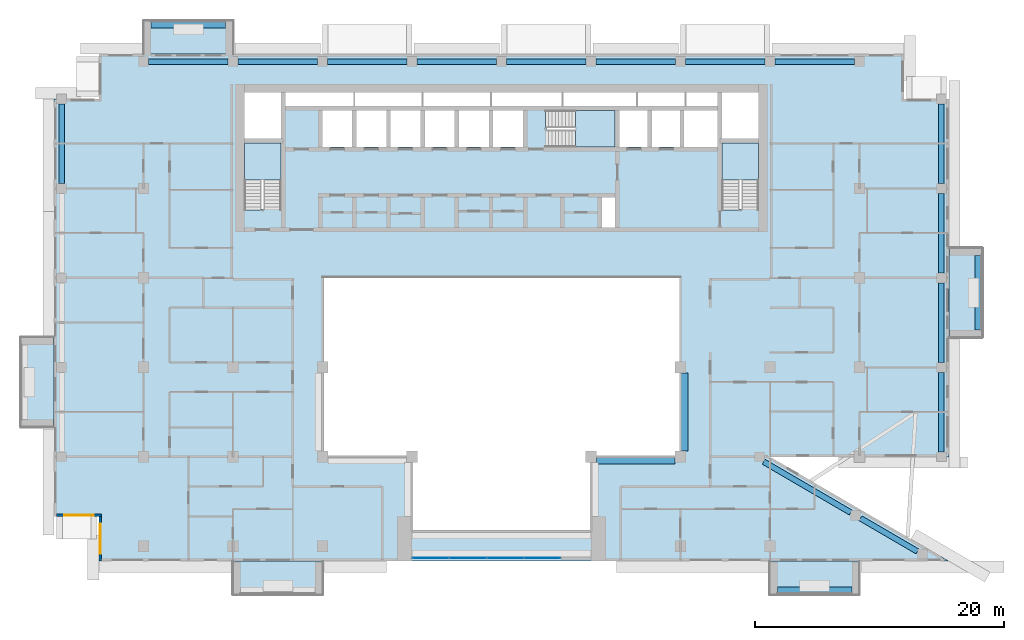
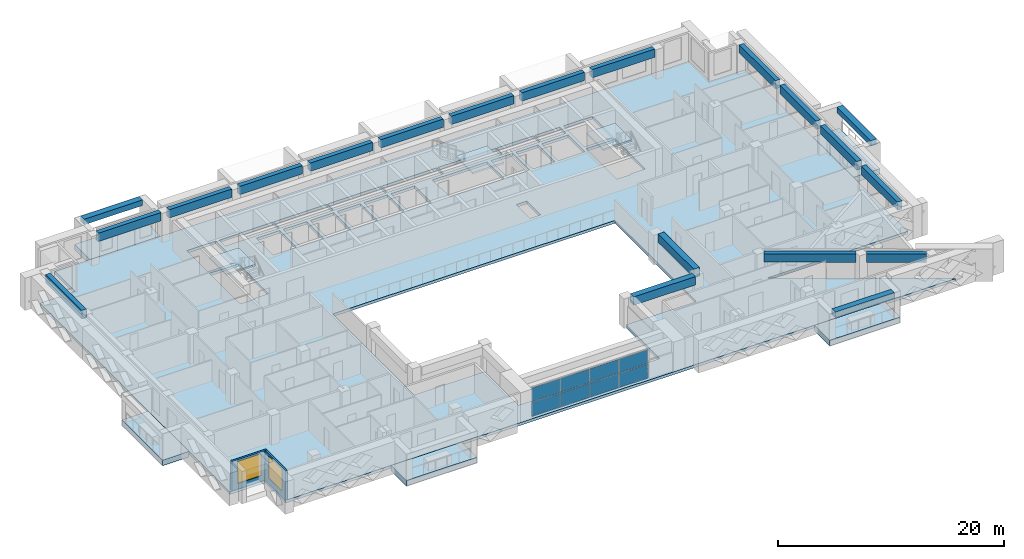
# One storey, part 5 of 20: 20 beams, 9 slabs, 8 plates, 2 walls, 2 windows, 2 openings, 4 elements without a shape of their own.
"""IFC4 building model written with IfcOpenShell, lengths in metres."""

from ifc_helpers import new_model, si_unit, direction, frame, frame_2d, origin, origin_2d, place, context, subcontext, project, spatial, polyline, rectangle, outline, extrude, source, transform, mapped, material, layer, layer_set, material_profile, profile_set, type_object, element, fill, aggregate, save


model = new_model("IFC4")

# Units and contexts
model_context = context("Model", 3, precision=1e-05, world=origin(), true_north=direction((0.0, 1.0)))
body_context = subcontext(model_context, "Body", "Model", "MODEL_VIEW")
ifc_project = project(units=[si_unit("LENGTHUNIT", "METRE"), si_unit("AREAUNIT", "SQUARE_METRE"), si_unit("VOLUMEUNIT", "CUBIC_METRE"), si_unit("PLANEANGLEUNIT", "RADIAN"), si_unit("MASSUNIT", "GRAM", prefix="KILO")], contexts=[model_context])

# Site, building, storey
site_placement = place(None, origin())
site = spatial("IfcSite", under=ifc_project, at=site_placement, CompositionType="ELEMENT")
building_placement = place(site_placement, origin())
building = spatial("IfcBuilding", under=site, at=building_placement, Name="Saffron Iwan Residences", CompositionType="ELEMENT")
storey_placement = place(building_placement, frame((0.0, 0.0, 199.0)))
storey = spatial("IfcBuildingStorey", under=building, at=storey_placement, Name="L53", CompositionType="ELEMENT", Elevation=199.0)

# Beams
ifc_material_1 = material(Name="Concrete C50/60", Category="concrete")
ifc_material_profile_1 = material_profile(ifc_material_1, rectangle(XDim=0.449951171875, YDim=0.89990234375, at=origin_2d()), Name="RC 450x900")
ifc_profile_set_1 = profile_set([ifc_material_profile_1], Name="Concrete C50/60")
beam_type_1 = type_object("IfcBeamType", Name="SPANDREL BEAM RC 450x900 C50/60 TOP 3200", PredefinedType="SPANDREL", material=ifc_profile_set_1)
shared_shape_1 = source(origin(), body_context, "Body", "SweptSolid", [
    extrude(rectangle(XDim=0.449951171875, YDim=0.89990234375, at=origin_2d()), origin(), (0.0, 0.0, 1.0), 5.300537109375),
])
beam_1_placement = place(storey_placement, frame((79.297607421875, 43.04833984375, 2.75), z_axis=(0.86379560586, -0.503842387357, 0.0), x_axis=(0.503842387357, 0.86379560586, 0.0)))
element("IfcBeam", 1, at=beam_1_placement, inside=storey, type_object=beam_type_1, Name="Spandrel beam", PredefinedType="SPANDREL", context=body_context, shape_type="MappedRepresentation", body=[
    mapped(shared_shape_1, transform((0.0, 0.0, 0.0))),
])
shared_shape_2 = source(origin(), body_context, "Body", "SweptSolid", [
    extrude(rectangle(XDim=0.449951171875, YDim=0.89990234375, at=origin_2d()), origin(), (0.0, 0.0, 1.0), 8.107177734375),
])
beam_2_placement = place(storey_placement, frame((71.494873046875, 47.60009765625, 2.75), z_axis=(0.863783269703, -0.503863536071, 0.0), x_axis=(0.503863536071, 0.863783269703, 0.0)))
element("IfcBeam", 2, at=beam_2_placement, inside=storey, type_object=beam_type_1, Name="Spandrel beam", PredefinedType="SPANDREL", context=body_context, shape_type="MappedRepresentation", body=[
    mapped(shared_shape_2, transform((0.0, 0.0, 0.0))),
])
shared_shape_3 = source(origin(), body_context, "Body", "SweptSolid", [
    extrude(rectangle(XDim=0.449951171875, YDim=0.89990234375, at=origin_2d()), origin(), (0.0, 0.0, 1.0), 6.400146484375),
])
for number, where, z_axis, x_axis, name in (
    (3, (85.800048828125, 54.800048828125, 2.75), (0.0, -1.0, 0.0), (1.0, 0.0, 0.0), "Spandrel beam"),
    (4, (29.199951171875, 79.800048828125, 2.75), (1.0, 0.0, 0.0), (0.0, 1.0, 0.0), "Spandrel beam"),
    (5, (36.39990234375, 79.800048828125, 2.75), (1.0, 0.0, 0.0), (0.0, 1.0, 0.0), "Spandrel beam"),
    (6, (65.199951171875, 79.800048828125, 2.75), (1.0, 0.0, 0.0), (0.0, 1.0, 0.0), "Spandrel beam"),
    (7, (72.39990234375, 79.800048828125, 2.75), (1.0, 0.0, 0.0), (0.0, 1.0, 0.0), "Spandrel beam"),
):
    element("IfcBeam", number, at=place(storey_placement, frame(where, z_axis=z_axis, x_axis=x_axis)), inside=storey, type_object=beam_type_1, Name=name, PredefinedType="SPANDREL", context=body_context, shape_type="MappedRepresentation", body=[
        mapped(shared_shape_3, transform((0.0, 0.0, 0.0))),
    ])
shared_shape_4 = source(origin(), body_context, "Body", "SweptSolid", [
    extrude(rectangle(XDim=0.449951171875, YDim=0.89990234375, at=origin_2d()), origin(), (0.0, 0.0, 1.0), 6.39990234375),
])
for number, where, z_axis, x_axis, name in (
    (8, (85.800048828125, 62.0, 2.75), (0.0, -1.0, 0.0), (1.0, 0.0, 0.0), "Spandrel beam"),
    (9, (85.800048828125, 69.199951171875, 2.75), (0.0, -1.0, 0.0), (1.0, 0.0, 0.0), "Spandrel beam"),
    (10, (15.0, 70.0, 2.75), (0.0, 1.0, 0.0), (-1.0, 0.0, 0.0), "Spandrel beam"),
    (11, (85.800048828125, 76.39990234375, 2.75), (0.0, -1.0, 0.0), (1.0, 0.0, 0.0), "Spandrel beam"),
    (12, (22.0, 79.800048828125, 2.75), (1.0, 0.0, 0.0), (0.0, 1.0, 0.0), "Spandrel beam"),
    (13, (43.60009765625, 79.800048828125, 2.75), (1.0, 0.0, 0.0), (0.0, 1.0, 0.0), "Spandrel beam"),
    (14, (50.800048828125, 79.800048828125, 2.75), (1.0, 0.0, 0.0), (0.0, 1.0, 0.0), "Spandrel beam"),
    (15, (58.0, 79.800048828125, 2.75), (1.0, 0.0, 0.0), (0.0, 1.0, 0.0), "Spandrel beam"),
):
    element("IfcBeam", number, at=place(storey_placement, frame(where, z_axis=z_axis, x_axis=x_axis)), inside=storey, type_object=beam_type_1, Name=name, PredefinedType="SPANDREL", context=body_context, shape_type="MappedRepresentation", body=[
        mapped(shared_shape_4, transform((0.0, 0.0, 0.0))),
    ])
ifc_material_profile_2 = material_profile(ifc_material_1, rectangle(XDim=0.60009765625, YDim=0.89990234375, at=origin_2d()), Name="RC 600x900")
ifc_profile_set_2 = profile_set([ifc_material_profile_2], Name="Concrete C50/60")
beam_type_2 = type_object("IfcBeamType", Name="BEAM RC 600x900 C50/60 TOP 3200", PredefinedType="BEAM", material=ifc_profile_set_2)
shared_shape_5 = source(origin(), body_context, "Body", "SweptSolid", [
    extrude(rectangle(XDim=0.60009765625, YDim=0.89990234375, at=origin_2d()), origin(), (0.0, 0.0, 1.0), 6.300048828125),
])
for number, where, z_axis, x_axis, name in (
    (16, (64.35009765625, 47.699951171875, 2.75), (-1.0, 0.0, 0.0), (0.0, -1.0, 0.0), "Atrium edge beam"),
    (17, (65.10009765625, 54.75, 2.75), (0.0, -1.0, 0.0), (1.0, 0.0, 0.0), "Atrium edge beam"),
):
    element("IfcBeam", number, at=place(storey_placement, frame(where, z_axis=z_axis, x_axis=x_axis)), inside=storey, type_object=beam_type_2, Name=name, PredefinedType="BEAM", context=body_context, shape_type="MappedRepresentation", body=[
        mapped(shared_shape_5, transform((0.0, 0.0, 0.0))),
    ])
ifc_material_2 = material(Name="Concrete C50/60 white painted", Category="concrete")
ifc_material_profile_3 = material_profile(ifc_material_2, rectangle(XDim=0.60009765625, YDim=0.60009765625, at=origin_2d()), Name="BALCONY FASCIA BEAM 600 x 600")
ifc_profile_set_3 = profile_set([ifc_material_profile_3], Name="Concrete C50/60 white painted")
beam_type_3 = type_object("IfcBeamType", Name="BALCONY FASCIA BEAM 600 x 600", PredefinedType="BEAM", material=ifc_profile_set_3)
shared_shape_6 = source(origin(), body_context, "Body", "SweptSolid", [
    extrude(rectangle(XDim=0.60009765625, YDim=0.60009765625, at=origin_2d()), origin(), (0.0, 0.0, 1.0), 6.0),
])
for number, where, z_axis, x_axis, name in (
    (18, (88.800048828125, 58.199951171875, 2.550048828125), (0.0, 1.0, 0.0), (-1.0, 0.0, 0.0), "Balcony fascia beam L53 F2-0"),
    (19, (28.199951171875, 82.800048828125, 2.550048828125), (-1.0, 0.0, 0.0), (0.0, -1.0, 0.0), "Balcony fascia beam L53 F5-3"),
    (20, (72.60009765625, 37.199951171875, 2.550048828125), (1.0, 0.0, 0.0), (0.0, 1.0, 0.0), "Balcony fascia beam L53 11-1"),
):
    element("IfcBeam", number, at=place(storey_placement, frame(where, z_axis=z_axis, x_axis=x_axis)), inside=storey, type_object=beam_type_3, Name=name, PredefinedType="BEAM", context=body_context, shape_type="MappedRepresentation", body=[
        mapped(shared_shape_6, transform((0.0, 0.0, 0.0))),
    ])

# Slabs
ifc_layer_1 = layer(ifc_material_2, 0.60009765625)
ifc_layer_set_1 = layer_set([ifc_layer_1], Name="Concrete C50/60 white painted")
slab_type_1 = type_object("IfcSlabType", Name="BALCONY FRAME SLAB 600", PredefinedType="FLOOR", material=ifc_layer_set_1)
slab_1_placement = place(storey_placement, frame((0.0, 0.0, -0.60009765625)))
element("IfcSlab", 21, at=slab_1_placement, inside=storey, type_object=slab_type_1, Name="Balcony frame slab L53 F2-0", PredefinedType="FLOOR", context=body_context, shape_type="SweptSolid", body=[
    extrude(outline(polyline([(89.10009765625, 57.60009765625), (89.10009765625, 64.800048828125), (86.39990234375, 64.800048828125), (86.39990234375, 57.60009765625), (89.10009765625, 57.60009765625)])), origin(), (0.0, 0.0, 1.0), 0.60009765625),
])
slab_2_placement = place(storey_placement, frame((0.0, 0.0, -0.60009765625)))
element("IfcSlab", 22, at=slab_2_placement, inside=storey, type_object=slab_type_1, Name="Balcony frame slab L53 F5-3", PredefinedType="FLOOR", context=body_context, shape_type="SweptSolid", body=[
    extrude(outline(polyline([(28.800048828125, 83.10009765625), (21.60009765625, 83.10009765625), (21.60009765625, 80.39990234375), (28.800048828125, 80.39990234375), (28.800048828125, 83.10009765625)])), origin(), (0.0, 0.0, 1.0), 0.60009765625),
])
slab_3_placement = place(storey_placement, frame((0.0, 0.0, -0.60009765625)))
element("IfcSlab", 23, at=slab_3_placement, inside=storey, type_object=slab_type_1, Name="Balcony frame slab L53 F8-1", PredefinedType="FLOOR", context=body_context, shape_type="SweptSolid", body=[
    extrude(outline(polyline([(11.699951171875, 57.60009765625), (11.699951171875, 50.39990234375), (14.39990234375, 50.39990234375), (14.39990234375, 57.60009765625), (11.699951171875, 57.60009765625)])), origin(), (0.0, 0.0, 1.0), 0.60009765625),
])
slab_4_placement = place(storey_placement, frame((0.0, 0.0, -0.60009765625)))
element("IfcSlab", 24, at=slab_4_placement, inside=storey, type_object=slab_type_1, Name="Balcony frame slab L53 11-0", PredefinedType="FLOOR", context=body_context, shape_type="SweptSolid", body=[
    extrude(outline(polyline([(28.800048828125, 36.89990234375), (36.0, 36.89990234375), (36.0, 39.60009765625), (28.800048828125, 39.60009765625), (28.800048828125, 36.89990234375)])), origin(), (0.0, 0.0, 1.0), 0.60009765625),
])
slab_5_placement = place(storey_placement, frame((0.0, 0.0, -0.60009765625)))
element("IfcSlab", 25, at=slab_5_placement, inside=storey, type_object=slab_type_1, Name="Balcony frame slab L53 11-1", PredefinedType="FLOOR", context=body_context, shape_type="SweptSolid", body=[
    extrude(outline(polyline([(72.0, 36.89990234375), (79.199951171875, 36.89990234375), (79.199951171875, 39.60009765625), (72.0, 39.60009765625), (72.0, 36.89990234375)])), origin(), (0.0, 0.0, 1.0), 0.60009765625),
])
ifc_material_3 = material(Name="Concrete C40/50", Category="concrete")
ifc_layer_2 = layer(ifc_material_3, 0.300048828125)
ifc_layer_set_2 = layer_set([ifc_layer_2], Name="Concrete C40/50")
slab_type_2 = type_object("IfcSlabType", Name="PT PLATE 300 C40/50", PredefinedType="FLOOR", material=ifc_layer_set_2)
slab_6_placement = place(storey_placement, frame((0.0, 0.0, -0.300048828125)))
element("IfcSlab", 26, at=slab_6_placement, inside=storey, type_object=slab_type_2, Name="Floor slab L53", PredefinedType="FLOOR", context=body_context, shape_type="SweptSolid", body=[
    extrude(outline(polyline([(14.39990234375, 43.199951171875), (14.39990234375, 76.800048828125), (18.0, 76.800048828125), (18.0, 80.39990234375), (82.800048828125, 80.39990234375), (82.800048828125, 76.800048828125), (86.39990234375, 76.800048828125), (86.39990234375, 48.0), (72.0, 48.0), (86.39990234375, 39.60009765625), (18.0, 39.60009765625), (18.0, 43.199951171875), (14.39990234375, 43.199951171875)]), holes=[polyline([(64.800048828125, 48.0), (64.800048828125, 62.39990234375), (36.0, 62.39990234375), (36.0, 48.0), (43.199951171875, 48.0), (43.199951171875, 42.0), (57.60009765625, 42.0), (57.60009765625, 48.0), (64.800048828125, 48.0)]), polyline([(29.699951171875, 73.25), (29.699951171875, 67.949951171875), (29.699951171875, 67.8505859375), (31.10009765625, 67.8505859375), (31.10009765625, 67.949951171875), (32.64990234375, 67.949951171875), (32.64990234375, 73.25), (29.699951171875, 73.25)]), polyline([(38.375, 75.875), (35.97509765625, 75.875), (35.97509765625, 72.925048828125), (38.375, 72.925048828125), (38.375, 75.875)]), polyline([(41.125, 75.875), (38.72509765625, 75.875), (38.72509765625, 72.925048828125), (41.125, 72.925048828125), (41.125, 75.875)]), polyline([(43.875, 72.925048828125), (43.875, 75.875), (41.47509765625, 75.875), (41.47509765625, 72.925048828125), (43.875, 72.925048828125)]), polyline([(46.625, 72.925048828125), (46.625, 75.875), (44.22509765625, 75.875), (44.22509765625, 72.925048828125), (46.625, 72.925048828125)]), polyline([(49.375, 75.875), (46.97509765625, 75.875), (46.97509765625, 72.925048828125), (49.375, 72.925048828125), (49.375, 75.875)]), polyline([(52.125, 72.925048828125), (52.125, 75.875), (49.72509765625, 75.875), (49.72509765625, 72.925048828125), (52.125, 72.925048828125)]), polyline([(32.64990234375, 73.60009765625), (32.64990234375, 77.300048828125), (29.699951171875, 77.300048828125), (29.699951171875, 73.60009765625), (32.64990234375, 73.60009765625)]), polyline([(38.5, 77.300048828125), (33.0, 77.300048828125), (33.0, 76.22509765625), (38.5, 76.22509765625), (38.5, 77.300048828125)]), polyline([(44.0, 76.22509765625), (44.0, 77.300048828125), (38.60009765625, 77.300048828125), (38.60009765625, 76.22509765625), (44.0, 76.22509765625)]), polyline([(49.5, 76.22509765625), (49.5, 77.300048828125), (44.10009765625, 77.300048828125), (44.10009765625, 76.22509765625), (49.5, 76.22509765625)]), polyline([(59.550048828125, 68.875), (58.47509765625, 68.875), (58.47509765625, 66.449951171875), (59.550048828125, 66.449951171875), (59.550048828125, 68.875)]), polyline([(68.14990234375, 73.25), (68.14990234375, 67.949951171875), (68.14990234375, 67.8505859375), (69.550048828125, 67.8505859375), (69.550048828125, 67.949951171875), (71.10009765625, 67.949951171875), (71.10009765625, 73.25), (68.14990234375, 73.25)]), polyline([(54.02490234375, 74.47509765625), (54.02490234375, 72.925048828125), (59.550048828125, 72.925048828125), (59.550048828125, 75.875), (54.02490234375, 75.875), (53.925537109375, 75.875), (53.925537109375, 74.47509765625), (54.02490234375, 74.47509765625)]), polyline([(62.14990234375, 72.925048828125), (62.14990234375, 75.875), (59.89990234375, 75.875), (59.89990234375, 72.925048828125), (62.14990234375, 72.925048828125)]), polyline([(64.75, 72.925048828125), (64.75, 75.875), (62.5, 75.875), (62.5, 72.925048828125), (64.75, 72.925048828125)]), polyline([(67.800048828125, 75.875), (65.10009765625, 75.875), (65.10009765625, 72.925048828125), (67.800048828125, 72.925048828125), (67.800048828125, 75.875)]), polyline([(71.10009765625, 73.60009765625), (71.10009765625, 77.300048828125), (68.14990234375, 77.300048828125), (68.14990234375, 73.60009765625), (71.10009765625, 73.60009765625)]), polyline([(55.25, 76.22509765625), (55.25, 77.300048828125), (49.60009765625, 77.300048828125), (49.60009765625, 76.22509765625), (55.25, 76.22509765625)]), polyline([(61.25, 77.300048828125), (55.35009765625, 77.300048828125), (55.35009765625, 76.22509765625), (61.25, 76.22509765625), (61.25, 77.300048828125)]), polyline([(65.14990234375, 76.22509765625), (65.14990234375, 77.300048828125), (61.35009765625, 77.300048828125), (61.35009765625, 76.22509765625), (65.14990234375, 76.22509765625)]), polyline([(67.800048828125, 76.22509765625), (67.800048828125, 77.300048828125), (65.25, 77.300048828125), (65.25, 76.22509765625), (67.800048828125, 76.22509765625)])]), origin(), (0.0, 0.0, 1.0), 0.300048828125),
])

# Stair, slab
stair_type = type_object("IfcStairType", Name="Stair ST-CORE", PredefinedType="HALF_TURN_STAIR", material=ifc_material_1)
stair_1_placement = place(storey_placement, origin())
stair_1 = element("IfcStair", 27, at=stair_1_placement, inside=storey, type_object=stair_type, Name="L53 Exit Stair ST-W", PredefinedType="HALF_TURN_STAIR")
ifc_layer_3 = layer(ifc_material_1, 0.199951171875)
ifc_layer_set_3 = layer_set([ifc_layer_3], Name="Concrete C50/60")
slab_type_3 = type_object("IfcSlabType", Name="Stair landing SL-RC", PredefinedType="LANDING", material=ifc_layer_set_3)
slab_7_placement = place(storey_placement, frame((0.0, 0.0, 1.5498046875)))
slab_7 = element("IfcSlab", 28, at=slab_7_placement, type_object=slab_type_3, Name="ST-W landing 1", PredefinedType="LANDING", context=body_context, shape_type="SweptSolid", body=[
    extrude(outline(polyline([(32.64990234375, 70.280029296875), (32.64990234375, 73.25), (29.699951171875, 73.25), (29.699951171875, 70.280029296875), (32.64990234375, 70.280029296875)])), origin(), (0.0, 0.0, 1.0), 0.2001953125),
])
aggregate(stair_1, [slab_7])

stair_2_placement = place(storey_placement, origin())
stair_2 = element("IfcStair", 29, at=stair_2_placement, inside=storey, type_object=stair_type, Name="L53 Exit Stair ST-C", PredefinedType="HALF_TURN_STAIR")
slab_8_placement = place(storey_placement, frame((0.0, 0.0, 1.5498046875)))
slab_8 = element("IfcSlab", 30, at=slab_8_placement, type_object=slab_type_3, Name="ST-C landing 1", PredefinedType="LANDING", context=body_context, shape_type="SweptSolid", body=[
    extrude(outline(polyline([(56.35498046875, 72.925048828125), (59.550048828125, 72.925048828125), (59.550048828125, 75.875), (56.35498046875, 75.875), (56.35498046875, 72.925048828125)])), origin(), (0.0, 0.0, 1.0), 0.2001953125),
])
aggregate(stair_2, [slab_8])

stair_3_placement = place(storey_placement, origin())
stair_3 = element("IfcStair", 31, at=stair_3_placement, inside=storey, type_object=stair_type, Name="L53 Exit Stair ST-E", PredefinedType="HALF_TURN_STAIR")
slab_9_placement = place(storey_placement, frame((0.0, 0.0, 1.5498046875)))
slab_9 = element("IfcSlab", 32, at=slab_9_placement, type_object=slab_type_3, Name="ST-E landing 1", PredefinedType="LANDING", context=body_context, shape_type="SweptSolid", body=[
    extrude(outline(polyline([(71.10009765625, 70.280029296875), (71.10009765625, 73.25), (68.14990234375, 73.25), (68.14990234375, 70.280029296875), (71.10009765625, 70.280029296875)])), origin(), (0.0, 0.0, 1.0), 0.2001953125),
])
aggregate(stair_3, [slab_9])

# Curtain wall, plates
ifc_material_4 = material(Name="Clear glass, laminated double glazed", Category="glass")
ifc_layer_4 = layer(ifc_material_4, 0.199951171875)
ifc_layer_set_4 = layer_set([ifc_layer_4], Name="Clear glass, laminated double glazed")
curtain_wall_type = type_object("IfcCurtainWallType", Name="CW-B IWAN PORTAL", PredefinedType="NOTDEFINED", material=ifc_layer_set_4)
curtain_wall_placement = place(storey_placement, origin())
curtain_wall = element("IfcCurtainWall", 33, at=curtain_wall_placement, inside=storey, type_object=curtain_wall_type, Name="Iwan portal glazing L53.1", PredefinedType="NOTDEFINED")
ifc_layer_5 = layer(ifc_material_4, 0.028076171875)
ifc_layer_set_5 = layer_set([ifc_layer_5], Name="Clear glass, laminated double glazed")
plate_type = type_object("IfcPlateType", Name="CW-B PANEL 28", PredefinedType="CURTAIN_PANEL", material=ifc_layer_set_5)
shared_shape_7 = source(origin(), body_context, "Body", "SweptSolid", [
    extrude(rectangle(XDim=2.909912109375, YDim=0.028076171875, at=origin_2d()), origin(), (0.0, 0.0, 1.0), 1.510009765625),
])
plate_1_placement = place(storey_placement, frame((44.715087890625, 39.85009765625, 0.06005859375), z_axis=(0.0, 0.0, 1.0), x_axis=(1.0, 0.0, 0.0)))
plate_1 = element("IfcPlate", 34, at=plate_1_placement, type_object=plate_type, Name="CW-B panel 1.1", PredefinedType="CURTAIN_PANEL", context=body_context, shape_type="MappedRepresentation", body=[
    mapped(shared_shape_7, transform((0.0, 0.0, 0.0))),
])
plate_2_placement = place(storey_placement, frame((44.715087890625, 39.85009765625, 1.6298828125), z_axis=(0.0, 0.0, 1.0), x_axis=(1.0, 0.0, 0.0)))
plate_2 = element("IfcPlate", 35, at=plate_2_placement, type_object=plate_type, Name="CW-B panel 1.2", PredefinedType="CURTAIN_PANEL", context=body_context, shape_type="MappedRepresentation", body=[
    mapped(shared_shape_7, transform((0.0, 0.0, 0.0))),
])
plate_3_placement = place(storey_placement, frame((53.68505859375, 39.85009765625, 0.06005859375), z_axis=(0.0, 0.0, 1.0), x_axis=(1.0, 0.0, 0.0)))
plate_3 = element("IfcPlate", 36, at=plate_3_placement, type_object=plate_type, Name="CW-B panel 4.1", PredefinedType="CURTAIN_PANEL", context=body_context, shape_type="MappedRepresentation", body=[
    mapped(shared_shape_7, transform((0.0, 0.0, 0.0))),
])
plate_4_placement = place(storey_placement, frame((53.68505859375, 39.85009765625, 1.6298828125), z_axis=(0.0, 0.0, 1.0), x_axis=(1.0, 0.0, 0.0)))
plate_4 = element("IfcPlate", 37, at=plate_4_placement, type_object=plate_type, Name="CW-B panel 4.2", PredefinedType="CURTAIN_PANEL", context=body_context, shape_type="MappedRepresentation", body=[
    mapped(shared_shape_7, transform((0.0, 0.0, 0.0))),
])
shared_shape_8 = source(origin(), body_context, "Body", "SweptSolid", [
    extrude(rectangle(XDim=2.93994140625, YDim=0.028076171875, at=origin_2d()), origin(), (0.0, 0.0, 1.0), 1.510009765625),
])
plate_5_placement = place(storey_placement, frame((47.699951171875, 39.85009765625, 0.06005859375), z_axis=(0.0, 0.0, 1.0), x_axis=(1.0, 0.0, 0.0)))
plate_5 = element("IfcPlate", 38, at=plate_5_placement, type_object=plate_type, Name="CW-B panel 2.1", PredefinedType="CURTAIN_PANEL", context=body_context, shape_type="MappedRepresentation", body=[
    mapped(shared_shape_8, transform((0.0, 0.0, 0.0))),
])
plate_6_placement = place(storey_placement, frame((47.699951171875, 39.85009765625, 1.6298828125), z_axis=(0.0, 0.0, 1.0), x_axis=(1.0, 0.0, 0.0)))
plate_6 = element("IfcPlate", 39, at=plate_6_placement, type_object=plate_type, Name="CW-B panel 2.2", PredefinedType="CURTAIN_PANEL", context=body_context, shape_type="MappedRepresentation", body=[
    mapped(shared_shape_8, transform((0.0, 0.0, 0.0))),
])
plate_7_placement = place(storey_placement, frame((50.699951171875, 39.85009765625, 0.06005859375), z_axis=(0.0, 0.0, 1.0), x_axis=(1.0, 0.0, 0.0)))
plate_7 = element("IfcPlate", 40, at=plate_7_placement, type_object=plate_type, Name="CW-B panel 3.1", PredefinedType="CURTAIN_PANEL", context=body_context, shape_type="MappedRepresentation", body=[
    mapped(shared_shape_8, transform((0.0, 0.0, 0.0))),
])
plate_8_placement = place(storey_placement, frame((50.699951171875, 39.85009765625, 1.6298828125), z_axis=(0.0, 0.0, 1.0), x_axis=(1.0, 0.0, 0.0)))
plate_8 = element("IfcPlate", 41, at=plate_8_placement, type_object=plate_type, Name="CW-B panel 3.2", PredefinedType="CURTAIN_PANEL", context=body_context, shape_type="MappedRepresentation", body=[
    mapped(shared_shape_8, transform((0.0, 0.0, 0.0))),
])
aggregate(curtain_wall, [plate_1, plate_2, plate_5, plate_6, plate_7, plate_8, plate_3, plate_4])

# Wall, opening, window
ifc_layer_6 = layer(ifc_material_3, 0.199951171875)
ifc_layer_set_6 = layer_set([ifc_layer_6], Name="Concrete C40/50")
wall_type = type_object("IfcWallType", Name="EXTERNAL WALL 200", PredefinedType="SOLIDWALL", material=ifc_layer_set_6)
wall_1_placement = place(storey_placement, frame((14.60009765625, 43.300048828125, 0.0), z_axis=(0.0, 0.0, 1.0), x_axis=(1.0, 0.0, 0.0)))
wall_1 = element("IfcWall", 42, at=wall_1_placement, inside=storey, type_object=wall_type, Name="External wall L53 F9.0", PredefinedType="SOLIDWALL", context=body_context, shape_type="SweptSolid", body=[
    extrude(rectangle(XDim=3.599853515625, YDim=0.199951171875, at=frame_2d((1.7998046875, 0.0))), origin(), (0.0, 0.0, 1.0), 3.199951171875),
])
opening_1_placement = place(wall_1_placement, frame((0.60009765625, 0.0, 0.60009765625)))
opening_1 = element("IfcOpeningElement", 43, at=opening_1_placement, cuts=wall_1, Name="Opening W1", PredefinedType="OPENING", context=body_context, shape_type="SweptSolid", body=[
    extrude(rectangle(XDim=2.39990234375, YDim=2.39990234375, at=frame_2d((1.199951171875, 1.199951171875))), frame((0.0, 0.10986328125, 0.0), z_axis=(0.0, -1.0, 0.0), x_axis=(1.0, 0.0, 0.0)), (0.0, 0.0, 1.0), 0.219970703125),
])
window_type = type_object("IfcWindowType", Name="WINDOW 2400 x 2400", PartitioningType="DOUBLE_PANEL_VERTICAL", PredefinedType="WINDOW", material=ifc_material_4)
window_1_placement = place(opening_1_placement, origin())
window_1 = element("IfcWindow", 44, at=window_1_placement, inside=storey, type_object=window_type, Name="Window L53 F9.0", OverallHeight=2.39990234375, OverallWidth=2.39990234375, PartitioningType="DOUBLE_PANEL_VERTICAL", PredefinedType="WINDOW", context=body_context, shape_type="SweptSolid", body=[
    extrude(rectangle(XDim=2.39990234375, YDim=2.39990234375, at=frame_2d((1.199951171875, 1.199951171875))), frame((0.0, 0.030029296875, 0.0), z_axis=(0.0, -1.0, 0.0), x_axis=(1.0, 0.0, 0.0)), (0.0, 0.0, 1.0), 0.06005859375),
])
fill(opening_1, window_1)

wall_2_placement = place(storey_placement, frame((18.10009765625, 43.199951171875, 0.0), z_axis=(0.0, 0.0, 1.0), x_axis=(0.0, -1.0, 0.0)))
wall_2 = element("IfcWall", 45, at=wall_2_placement, inside=storey, type_object=wall_type, Name="External wall L53 F10.0", PredefinedType="SOLIDWALL", context=body_context, shape_type="SweptSolid", body=[
    extrude(rectangle(XDim=3.599853515625, YDim=0.199951171875, at=frame_2d((1.7998046875, 0.0))), origin(), (0.0, 0.0, 1.0), 3.199951171875),
])
opening_2_placement = place(wall_2_placement, frame((0.60009765625, 0.0, 0.60009765625)))
opening_2 = element("IfcOpeningElement", 46, at=opening_2_placement, cuts=wall_2, Name="Opening W1", PredefinedType="OPENING", context=body_context, shape_type="SweptSolid", body=[
    extrude(rectangle(XDim=2.39990234375, YDim=2.39990234375, at=frame_2d((1.199951171875, 1.199951171875))), frame((0.0, 0.10986328125, 0.0), z_axis=(0.0, -1.0, 0.0), x_axis=(1.0, 0.0, 0.0)), (0.0, 0.0, 1.0), 0.219970703125),
])
window_2_placement = place(opening_2_placement, origin())
window_2 = element("IfcWindow", 47, at=window_2_placement, inside=storey, type_object=window_type, Name="Window L53 F10.0", OverallHeight=2.39990234375, OverallWidth=2.39990234375, PartitioningType="DOUBLE_PANEL_VERTICAL", PredefinedType="WINDOW", context=body_context, shape_type="SweptSolid", body=[
    extrude(rectangle(XDim=2.39990234375, YDim=2.39990234375, at=frame_2d((1.199951171875, 1.199951171875))), frame((0.0, 0.030029296875, 0.0), z_axis=(0.0, -1.0, 0.0), x_axis=(1.0, 0.0, 0.0)), (0.0, 0.0, 1.0), 0.06005859375),
])
fill(opening_2, window_2)

save(model, "model.ifc")
